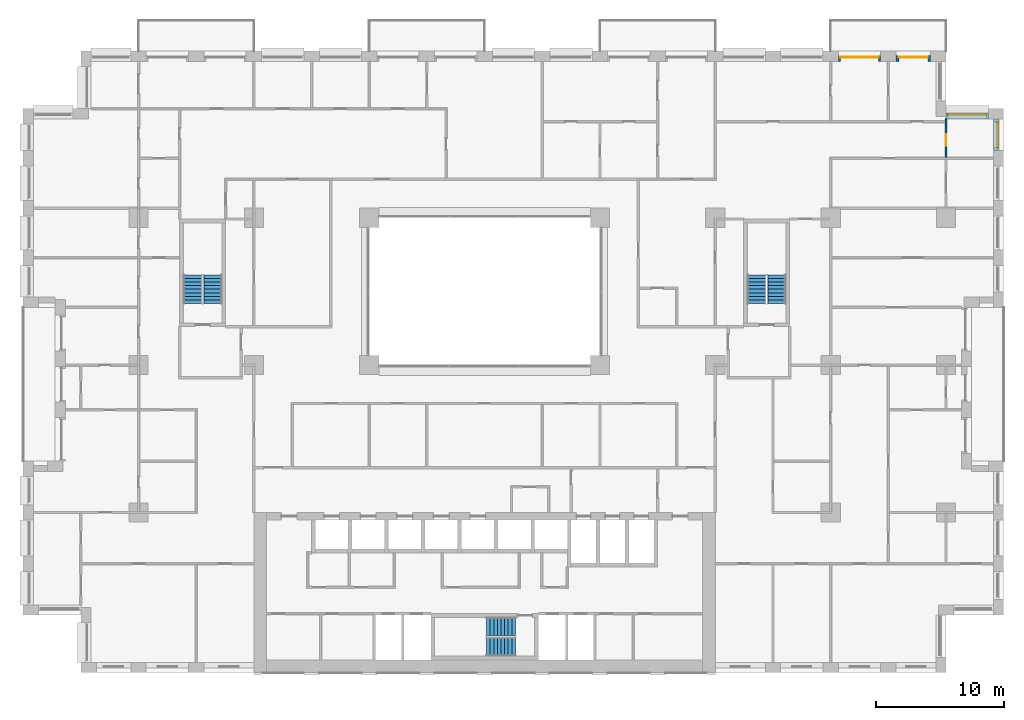
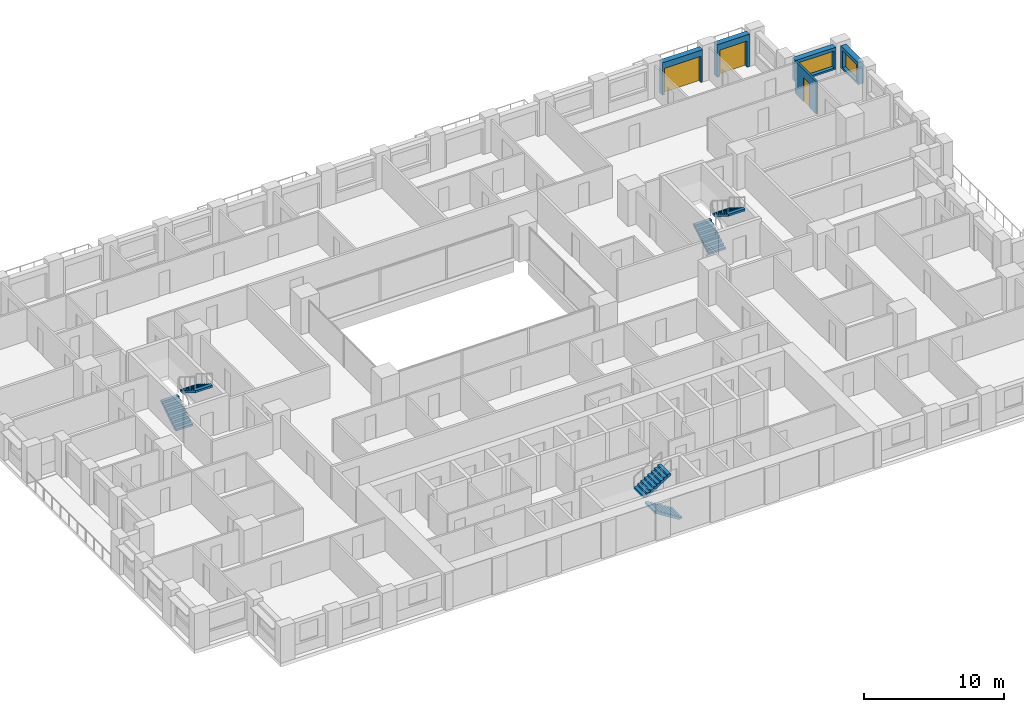
# One storey, part 18 of 20: 6 stair flights, 5 walls, 3 doors, 2 windows, 5 openings, 3 elements without a shape of their own.
"""IFC4 building model written with IfcOpenShell, lengths in metres."""

from ifc_helpers import new_model, si_unit, direction, frame, frame_2d, origin, place, context, subcontext, project, spatial, polyline, rectangle, outline, extrude, material, layer, layer_set, type_object, element, fill, aggregate, save


model = new_model("IFC4")

# Units and contexts
model_context = context("Model", 3, precision=1e-05, world=origin(), true_north=direction((0.0, 1.0)))
body_context = subcontext(model_context, "Body", "Model", "MODEL_VIEW")
ifc_project = project(units=[si_unit("LENGTHUNIT", "METRE"), si_unit("AREAUNIT", "SQUARE_METRE"), si_unit("VOLUMEUNIT", "CUBIC_METRE"), si_unit("PLANEANGLEUNIT", "RADIAN"), si_unit("MASSUNIT", "GRAM", prefix="KILO")], contexts=[model_context])

# Site, building, storey
site_placement = place(None, origin())
site = spatial("IfcSite", under=ifc_project, at=site_placement, CompositionType="ELEMENT")
building_placement = place(site_placement, origin())
building = spatial("IfcBuilding", under=site, at=building_placement, Name="Brigalow Station Residences", CompositionType="ELEMENT")
storey_placement = place(building_placement, frame((0.0, 0.0, 38.39990234375)))
storey = spatial("IfcBuildingStorey", under=building, at=storey_placement, Name="L10", CompositionType="ELEMENT", Elevation=38.39990234375)

# Wall, opening, window
ifc_material_1 = material(Name="Clay brick masonry", Category="masonry")
ifc_layer_1 = layer(ifc_material_1, 0.449951171875)
ifc_layer_set_1 = layer_set([ifc_layer_1], Name="BRICK INFILL WALL 450")
wall_type_1 = type_object("IfcWallType", Name="BRICK INFILL WALL 450", PredefinedType="SOLIDWALL", material=ifc_layer_set_1)
wall_1_placement = place(storey_placement, frame((75.925048828125, 40.72509765625, 0.900146484375), z_axis=(0.0, 0.0, 1.0), x_axis=(0.0, 1.0, 0.0)))
wall_1 = element("IfcWall", 1, at=wall_1_placement, inside=storey, type_object=wall_type_1, Name="L10/ewall/W-L10-22", PredefinedType="SOLIDWALL", context=body_context, shape_type="SweptSolid", body=[
    extrude(rectangle(XDim=2.474853515625, YDim=0.449951171875, at=frame_2d((1.2373046875, 0.0))), origin(), (0.0, 0.0, 1.0), 1.929931640625),
])
opening_1_placement = place(wall_1_placement, frame((0.237548828125, 0.0, 0.14990234375)))
opening_1 = element("IfcOpeningElement", 2, at=opening_1_placement, cuts=wall_1, Name="Opening WT-7", PredefinedType="OPENING", context=body_context, shape_type="SweptSolid", body=[
    extrude(rectangle(XDim=2.0, YDim=1.5, at=frame_2d((1.0, 0.75))), frame((0.0, 0.23486328125, 0.0), z_axis=(0.0, -1.0, 0.0), x_axis=(1.0, 0.0, 0.0)), (0.0, 0.0, 1.0), 0.469970703125),
])
ifc_material_2 = material(Name="Anodised aluminium frame with double glazing", Category="aluminium")
window_type_1 = type_object("IfcWindowType", Name="WINDOW 2000x1500", PartitioningType="SINGLE_PANEL", PredefinedType="WINDOW", material=ifc_material_2)
window_1_placement = place(opening_1_placement, origin())
window_1 = element("IfcWindow", 3, at=window_1_placement, inside=storey, type_object=window_type_1, Name="L10/window/W-L10-22", OverallHeight=1.5, OverallWidth=2.0, PartitioningType="SINGLE_PANEL", PredefinedType="WINDOW", context=body_context, shape_type="SweptSolid", body=[
    extrude(rectangle(XDim=2.0, YDim=1.5, at=frame_2d((1.0, 0.75))), frame((0.0, -0.06494140625, 0.0), z_axis=(0.0, -1.0, 0.0), x_axis=(1.0, 0.0, 0.0)), (0.0, 0.0, 1.0), 0.06005859375),
])
fill(opening_1, window_1)

wall_2_placement = place(storey_placement, frame((75.300048828125, 43.425048828125, 0.900146484375), z_axis=(0.0, 0.0, 1.0), x_axis=(-1.0, 0.0, 0.0)))
wall_2 = element("IfcWall", 4, at=wall_2_placement, inside=storey, type_object=wall_type_1, Name="L10/ewall/W-L10-23", PredefinedType="SOLIDWALL", context=body_context, shape_type="SweptSolid", body=[
    extrude(rectangle(XDim=3.300048828125, YDim=0.449951171875, at=frame_2d((1.64990234375, 0.0))), origin(), (0.0, 0.0, 1.0), 1.929931640625),
])
opening_2_placement = place(wall_2_placement, frame((0.14990234375, 0.0, 0.14990234375)))
opening_2 = element("IfcOpeningElement", 5, at=opening_2_placement, cuts=wall_2, Name="Opening WT-2", PredefinedType="OPENING", context=body_context, shape_type="SweptSolid", body=[
    extrude(rectangle(XDim=3.0, YDim=1.5, at=frame_2d((1.5, 0.75))), frame((0.0, 0.23486328125, 0.0), z_axis=(0.0, -1.0, 0.0), x_axis=(1.0, 0.0, 0.0)), (0.0, 0.0, 1.0), 0.469970703125),
])
ifc_material_3 = material(Name="Anodised aluminium frame with double glazing", Category="aluminium")
window_type_2 = type_object("IfcWindowType", Name="WINDOW 3000x1500", PartitioningType="SINGLE_PANEL", PredefinedType="WINDOW", material=ifc_material_3)
window_2_placement = place(opening_2_placement, origin())
window_2 = element("IfcWindow", 6, at=window_2_placement, inside=storey, type_object=window_type_2, Name="L10/window/W-L10-23", OverallHeight=1.5, OverallWidth=3.0, PartitioningType="SINGLE_PANEL", PredefinedType="WINDOW", context=body_context, shape_type="SweptSolid", body=[
    extrude(rectangle(XDim=3.0, YDim=1.5, at=frame_2d((1.5, 0.75))), frame((0.0, -0.06494140625, 0.0), z_axis=(0.0, -1.0, 0.0), x_axis=(1.0, 0.0, 0.0)), (0.0, 0.0, 1.0), 0.06005859375),
])
fill(opening_2, window_2)

# Wall, opening, door
wall_3_placement = place(storey_placement, frame((70.800048828125, 47.925048828125, 0.0), z_axis=(0.0, 0.0, 1.0), x_axis=(-1.0, 0.0, 0.0)))
wall_3 = element("IfcWall", 7, at=wall_3_placement, inside=storey, type_object=wall_type_1, Name="L10/ewall/W-L10-25", PredefinedType="SOLIDWALL", context=body_context, shape_type="SweptSolid", body=[
    extrude(rectangle(XDim=2.699951171875, YDim=0.449951171875, at=frame_2d((1.35009765625, 0.0))), origin(), (0.0, 0.0, 1.0), 2.830078125),
])
opening_3_placement = place(wall_3_placement, frame((0.22509765625, 0.0, 0.0)))
opening_3 = element("IfcOpeningElement", 8, at=opening_3_placement, cuts=wall_3, Name="Opening D-B2250", PredefinedType="OPENING", context=body_context, shape_type="SweptSolid", body=[
    extrude(rectangle(XDim=2.25, YDim=2.300048828125, at=frame_2d((1.125, 1.14990234375))), frame((0.0, 0.23486328125, 0.0), z_axis=(0.0, -1.0, 0.0), x_axis=(1.0, 0.0, 0.0)), (0.0, 0.0, 1.0), 0.469970703125),
])
ifc_material_4 = material(Name="Anodised aluminium frame with double glazing", Category="aluminium")
door_type_1 = type_object("IfcDoorType", Name="BALCONY SLIDING DOOR 2250x2300", OperationType="SLIDING_TO_LEFT", PredefinedType="DOOR", material=ifc_material_4)
door_1_placement = place(opening_3_placement, origin())
door_1 = element("IfcDoor", 9, at=door_1_placement, inside=storey, type_object=door_type_1, Name="L10/balcony-door/W-L10-25", OperationType="SLIDING_TO_LEFT", OverallHeight=2.300048828125, OverallWidth=2.25, PredefinedType="DOOR", context=body_context, shape_type="SweptSolid", body=[
    extrude(rectangle(XDim=2.25, YDim=2.300048828125, at=frame_2d((1.125, 1.14990234375))), frame((0.0, -0.06982421875, 0.0), z_axis=(0.0, -1.0, 0.0), x_axis=(1.0, 0.0, 0.0)), (0.0, 0.0, 1.0), 0.050048828125),
])
fill(opening_3, door_1)

wall_4_placement = place(storey_placement, frame((66.89990234375, 47.925048828125, 0.0), z_axis=(0.0, 0.0, 1.0), x_axis=(-1.0, 0.0, 0.0)))
wall_4 = element("IfcWall", 10, at=wall_4_placement, inside=storey, type_object=wall_type_1, Name="L10/ewall/W-L10-26", PredefinedType="SOLIDWALL", context=body_context, shape_type="SweptSolid", body=[
    extrude(rectangle(XDim=3.2998046875, YDim=0.449951171875, at=frame_2d((1.64990234375, 0.0))), origin(), (0.0, 0.0, 1.0), 2.830078125),
])
opening_4_placement = place(wall_4_placement, frame((0.14990234375, 0.0, 0.0)))
opening_4 = element("IfcOpeningElement", 11, at=opening_4_placement, cuts=wall_4, Name="Opening D-B3000", PredefinedType="OPENING", context=body_context, shape_type="SweptSolid", body=[
    extrude(rectangle(XDim=3.0, YDim=2.300048828125, at=frame_2d((1.5, 1.14990234375))), frame((0.0, 0.23486328125, 0.0), z_axis=(0.0, -1.0, 0.0), x_axis=(1.0, 0.0, 0.0)), (0.0, 0.0, 1.0), 0.469970703125),
])
ifc_material_5 = material(Name="Anodised aluminium frame with double glazing", Category="aluminium")
door_type_2 = type_object("IfcDoorType", Name="BALCONY SLIDING DOOR 3000x2300", OperationType="SLIDING_TO_LEFT", PredefinedType="DOOR", material=ifc_material_5)
door_2_placement = place(opening_4_placement, origin())
door_2 = element("IfcDoor", 12, at=door_2_placement, inside=storey, type_object=door_type_2, Name="L10/balcony-door/W-L10-26", OperationType="SLIDING_TO_LEFT", OverallHeight=2.300048828125, OverallWidth=3.0, PredefinedType="DOOR", context=body_context, shape_type="SweptSolid", body=[
    extrude(rectangle(XDim=3.0, YDim=2.300048828125, at=frame_2d((1.5, 1.14990234375))), frame((0.0, -0.06982421875, 0.0), z_axis=(0.0, -1.0, 0.0), x_axis=(1.0, 0.0, 0.0)), (0.0, 0.0, 1.0), 0.050048828125),
])
fill(opening_4, door_2)

ifc_material_6 = material(Name="Plasterboard on steel stud partition", Category="steel")
ifc_layer_2 = layer(ifc_material_6, 0.14990234375)
ifc_layer_set_2 = layer_set([ifc_layer_2], Name="FLAT PARTITION 150")
wall_type_2 = type_object("IfcWallType", Name="FLAT PARTITION 150", PredefinedType="PARTITIONING", material=ifc_layer_set_2)
wall_5_placement = place(storey_placement, frame((72.0, 40.199951171875, 0.0), z_axis=(0.0, 0.0, 1.0), x_axis=(0.0, 1.0, 0.0)))
wall_5 = element("IfcWall", 13, at=wall_5_placement, inside=storey, type_object=wall_type_2, Name="PW-1C77", PredefinedType="PARTITIONING", context=body_context, shape_type="SweptSolid", body=[
    extrude(rectangle(XDim=3.0, YDim=0.14990234375, at=frame_2d((1.5, 0.0))), origin(), (0.0, 0.0, 1.0), 2.830078125),
])
opening_5_placement = place(wall_5_placement, frame((0.912109375, 0.0, 0.0)))
opening_5 = element("IfcOpeningElement", 14, at=opening_5_placement, cuts=wall_5, Name="Opening D-1C42", PredefinedType="OPENING", context=body_context, shape_type="SweptSolid", body=[
    extrude(rectangle(XDim=0.89990234375, YDim=2.10009765625, at=frame_2d((0.449951171875, 1.050048828125))), frame((0.0, 0.0849609375, 0.0), z_axis=(0.0, -1.0, 0.0), x_axis=(1.0, 0.0, 0.0)), (0.0, 0.0, 1.0), 0.169921875),
])
ifc_material_7 = material(Name="Solid-core timber door leaf", Category="wood")
door_type_3 = type_object("IfcDoorType", Name="INTERNAL DOOR 900 x 2100", OperationType="SINGLE_SWING_LEFT", PredefinedType="DOOR", material=ifc_material_7)
door_3_placement = place(opening_5_placement, frame((0.89990234375, 0.0, 0.0), z_axis=(0.0, 0.0, 1.0), x_axis=(-1.0, 0.0, 0.0)))
door_3 = element("IfcDoor", 15, at=door_3_placement, inside=storey, type_object=door_type_3, Name="D-1C42", OperationType="SINGLE_SWING_RIGHT", OverallHeight=2.10009765625, OverallWidth=0.89990234375, PredefinedType="DOOR", context=body_context, shape_type="SweptSolid", body=[
    extrude(rectangle(XDim=0.89990234375, YDim=2.10009765625, at=frame_2d((0.449951171875, 1.050048828125))), frame((0.0, 0.02490234375, 0.0), z_axis=(0.0, -1.0, 0.0), x_axis=(1.0, 0.0, 0.0)), (0.0, 0.0, 1.0), 0.050048828125),
])
fill(opening_5, door_3)

# Stair, stair flights
ifc_material_8 = material(Name="Concrete C50", Category="concrete")
stair_type = type_object("IfcStairType", Name="EXIT STAIR 1400 2 FLIGHT", PredefinedType="HALF_TURN_STAIR", material=ifc_material_8)
stair_1_placement = place(storey_placement, origin())
stair_1 = element("IfcStair", 16, at=stair_1_placement, inside=storey, type_object=stair_type, Name="EXIT STAIR S2 L10", PredefinedType="HALF_TURN_STAIR")
ifc_material_9 = material(Name="Concrete C50", Category="concrete")
stair_flight_type = type_object("IfcStairFlightType", Name="STAIR FLIGHT 1400", PredefinedType="STRAIGHT", material=ifc_material_9)
stair_flight_1_placement = place(storey_placement, frame((38.39990234375, 2.0, 0.0), z_axis=(0.0, 0.0, 1.0), x_axis=(-1.0, 0.0, 0.0)))
stair_flight_1 = element("IfcStairFlight", 17, at=stair_flight_1_placement, type_object=stair_flight_type, Name="ST-2 flight 1", NumberOfRisers=9, NumberOfTreads=8, PredefinedType="STRAIGHT", RiserHeight=0.175, TreadLength=0.28, context=body_context, shape_type="SweptSolid", body=[
    extrude(outline(polyline([(0.0, 0.0), (0.0, 0.175048828125), (0.280029296875, 0.175048828125), (0.280029296875, 0.35009765625), (0.56005859375, 0.35009765625), (0.56005859375, 0.52490234375), (0.840087890625, 0.52490234375), (0.840087890625, 0.699951171875), (1.1201171875, 0.699951171875), (1.1201171875, 0.875), (1.39990234375, 0.875), (1.39990234375, 1.050048828125), (1.679931640625, 1.050048828125), (1.679931640625, 1.22509765625), (1.9599609375, 1.22509765625), (1.9599609375, 1.39990234375), (2.239990234375, 1.39990234375), (2.239990234375, 1.574951171875), (2.239990234375, 1.22314453125), (0.28271484375, 0.0), (0.0, 0.0)])), frame((0.0, 0.699951171875, 0.0), z_axis=(0.0, -1.0, 0.0), x_axis=(1.0, 0.0, 0.0)), (0.0, 0.0, 1.0), 1.39990234375),
])
stair_flight_2_placement = place(storey_placement, frame((36.159912109375, 3.60009765625, 1.5751953125), z_axis=(0.0, 0.0, 1.0), x_axis=(1.0, 0.0, 0.0)))
stair_flight_2 = element("IfcStairFlight", 18, at=stair_flight_2_placement, type_object=stair_flight_type, Name="ST-2 flight 2", NumberOfRisers=9, NumberOfTreads=8, PredefinedType="STRAIGHT", RiserHeight=0.175, TreadLength=0.28, context=body_context, shape_type="SweptSolid", body=[
    extrude(outline(polyline([(0.0, 0.0), (0.0, 0.175048828125), (0.280029296875, 0.175048828125), (0.280029296875, 0.35009765625), (0.56005859375, 0.35009765625), (0.56005859375, 0.52490234375), (0.840087890625, 0.52490234375), (0.840087890625, 0.699951171875), (1.1201171875, 0.699951171875), (1.1201171875, 0.875), (1.39990234375, 0.875), (1.39990234375, 1.050048828125), (1.679931640625, 1.050048828125), (1.679931640625, 1.22509765625), (1.9599609375, 1.22509765625), (1.9599609375, 1.39990234375), (2.239990234375, 1.39990234375), (2.239990234375, 1.574951171875), (2.239990234375, 1.22314453125), (0.28271484375, 0.0), (0.0, 0.0)])), frame((0.0, 0.699951171875, 0.0), z_axis=(0.0, -1.0, 0.0), x_axis=(1.0, 0.0, 0.0)), (0.0, 0.0, 1.0), 1.39990234375),
])
aggregate(stair_1, [stair_flight_1, stair_flight_2])

stair_2_placement = place(storey_placement, origin())
stair_2 = element("IfcStair", 19, at=stair_2_placement, inside=storey, type_object=stair_type, Name="EXIT STAIR S1 L10", PredefinedType="HALF_TURN_STAIR")
stair_flight_3_placement = place(storey_placement, frame((13.199951171875, 28.800048828125, 0.0), z_axis=(0.0, 0.0, 1.0), x_axis=(0.0, 1.0, 0.0)))
stair_flight_3 = element("IfcStairFlight", 20, at=stair_flight_3_placement, type_object=stair_flight_type, Name="ST-1 flight 1", NumberOfRisers=9, NumberOfTreads=8, PredefinedType="STRAIGHT", RiserHeight=0.175, TreadLength=0.28, context=body_context, shape_type="SweptSolid", body=[
    extrude(outline(polyline([(0.0, 0.0), (0.0, 0.175048828125), (0.280029296875, 0.175048828125), (0.280029296875, 0.35009765625), (0.56005859375, 0.35009765625), (0.56005859375, 0.52490234375), (0.840087890625, 0.52490234375), (0.840087890625, 0.699951171875), (1.1201171875, 0.699951171875), (1.1201171875, 0.875), (1.39990234375, 0.875), (1.39990234375, 1.050048828125), (1.679931640625, 1.050048828125), (1.679931640625, 1.22509765625), (1.9599609375, 1.22509765625), (1.9599609375, 1.39990234375), (2.239990234375, 1.39990234375), (2.239990234375, 1.574951171875), (2.239990234375, 1.22314453125), (0.28271484375, 0.0), (0.0, 0.0)])), frame((0.0, 0.699951171875, 0.0), z_axis=(0.0, -1.0, 0.0), x_axis=(1.0, 0.0, 0.0)), (0.0, 0.0, 1.0), 1.39990234375),
])
stair_flight_4_placement = place(storey_placement, frame((14.800048828125, 31.0400390625, 1.5751953125), z_axis=(0.0, 0.0, 1.0), x_axis=(0.0, -1.0, 0.0)))
stair_flight_4 = element("IfcStairFlight", 21, at=stair_flight_4_placement, type_object=stair_flight_type, Name="ST-1 flight 2", NumberOfRisers=9, NumberOfTreads=8, PredefinedType="STRAIGHT", RiserHeight=0.175, TreadLength=0.28, context=body_context, shape_type="SweptSolid", body=[
    extrude(outline(polyline([(0.0, 0.0), (0.0, 0.175048828125), (0.280029296875, 0.175048828125), (0.280029296875, 0.35009765625), (0.56005859375, 0.35009765625), (0.56005859375, 0.52490234375), (0.840087890625, 0.52490234375), (0.840087890625, 0.699951171875), (1.1201171875, 0.699951171875), (1.1201171875, 0.875), (1.39990234375, 0.875), (1.39990234375, 1.050048828125), (1.679931640625, 1.050048828125), (1.679931640625, 1.22509765625), (1.9599609375, 1.22509765625), (1.9599609375, 1.39990234375), (2.239990234375, 1.39990234375), (2.239990234375, 1.574951171875), (2.239990234375, 1.22314453125), (0.28271484375, 0.0), (0.0, 0.0)])), frame((0.0, 0.699951171875, 0.0), z_axis=(0.0, -1.0, 0.0), x_axis=(1.0, 0.0, 0.0)), (0.0, 0.0, 1.0), 1.39990234375),
])
aggregate(stair_2, [stair_flight_3, stair_flight_4])

stair_3_placement = place(storey_placement, origin())
stair_3 = element("IfcStair", 22, at=stair_3_placement, inside=storey, type_object=stair_type, Name="EXIT STAIR S3 L10", PredefinedType="HALF_TURN_STAIR")
stair_flight_5_placement = place(storey_placement, frame((57.199951171875, 28.800048828125, 0.0), z_axis=(0.0, 0.0, 1.0), x_axis=(0.0, 1.0, 0.0)))
stair_flight_5 = element("IfcStairFlight", 23, at=stair_flight_5_placement, type_object=stair_flight_type, Name="ST-3 flight 1", NumberOfRisers=9, NumberOfTreads=8, PredefinedType="STRAIGHT", RiserHeight=0.175, TreadLength=0.28, context=body_context, shape_type="SweptSolid", body=[
    extrude(outline(polyline([(0.0, 0.0), (0.0, 0.175048828125), (0.280029296875, 0.175048828125), (0.280029296875, 0.35009765625), (0.56005859375, 0.35009765625), (0.56005859375, 0.52490234375), (0.840087890625, 0.52490234375), (0.840087890625, 0.699951171875), (1.1201171875, 0.699951171875), (1.1201171875, 0.875), (1.39990234375, 0.875), (1.39990234375, 1.050048828125), (1.679931640625, 1.050048828125), (1.679931640625, 1.22509765625), (1.9599609375, 1.22509765625), (1.9599609375, 1.39990234375), (2.239990234375, 1.39990234375), (2.239990234375, 1.574951171875), (2.239990234375, 1.22314453125), (0.28271484375, 0.0), (0.0, 0.0)])), frame((0.0, 0.699951171875, 0.0), z_axis=(0.0, -1.0, 0.0), x_axis=(1.0, 0.0, 0.0)), (0.0, 0.0, 1.0), 1.39990234375),
])
stair_flight_6_placement = place(storey_placement, frame((58.800048828125, 31.0400390625, 1.5751953125), z_axis=(0.0, 0.0, 1.0), x_axis=(0.0, -1.0, 0.0)))
stair_flight_6 = element("IfcStairFlight", 24, at=stair_flight_6_placement, type_object=stair_flight_type, Name="ST-3 flight 2", NumberOfRisers=9, NumberOfTreads=8, PredefinedType="STRAIGHT", RiserHeight=0.175, TreadLength=0.28, context=body_context, shape_type="SweptSolid", body=[
    extrude(outline(polyline([(0.0, 0.0), (0.0, 0.175048828125), (0.280029296875, 0.175048828125), (0.280029296875, 0.35009765625), (0.56005859375, 0.35009765625), (0.56005859375, 0.52490234375), (0.840087890625, 0.52490234375), (0.840087890625, 0.699951171875), (1.1201171875, 0.699951171875), (1.1201171875, 0.875), (1.39990234375, 0.875), (1.39990234375, 1.050048828125), (1.679931640625, 1.050048828125), (1.679931640625, 1.22509765625), (1.9599609375, 1.22509765625), (1.9599609375, 1.39990234375), (2.239990234375, 1.39990234375), (2.239990234375, 1.574951171875), (2.239990234375, 1.22314453125), (0.28271484375, 0.0), (0.0, 0.0)])), frame((0.0, 0.699951171875, 0.0), z_axis=(0.0, -1.0, 0.0), x_axis=(1.0, 0.0, 0.0)), (0.0, 0.0, 1.0), 1.39990234375),
])
aggregate(stair_3, [stair_flight_5, stair_flight_6])

save(model, "model.ifc")
